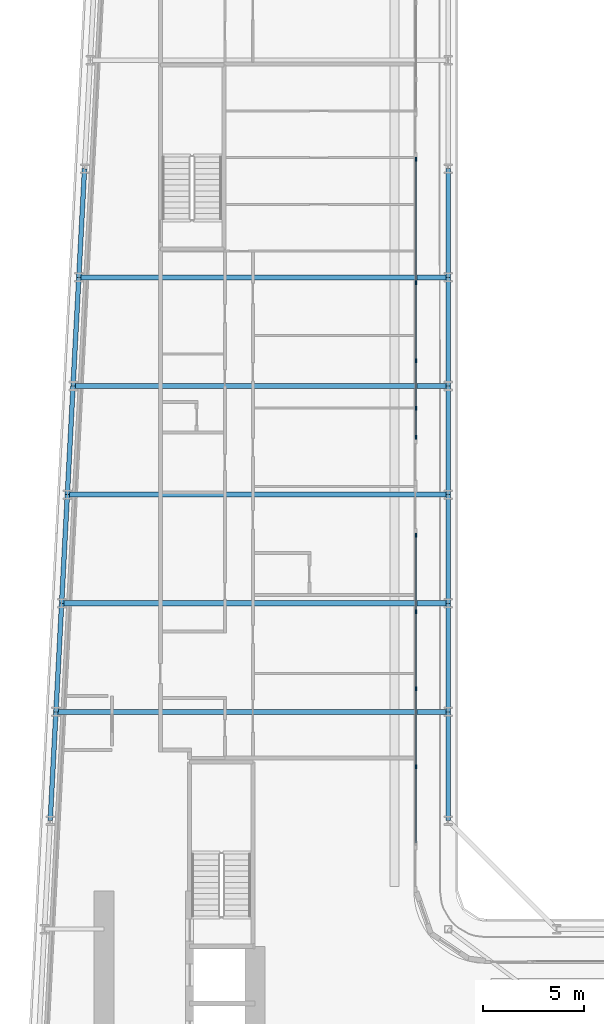
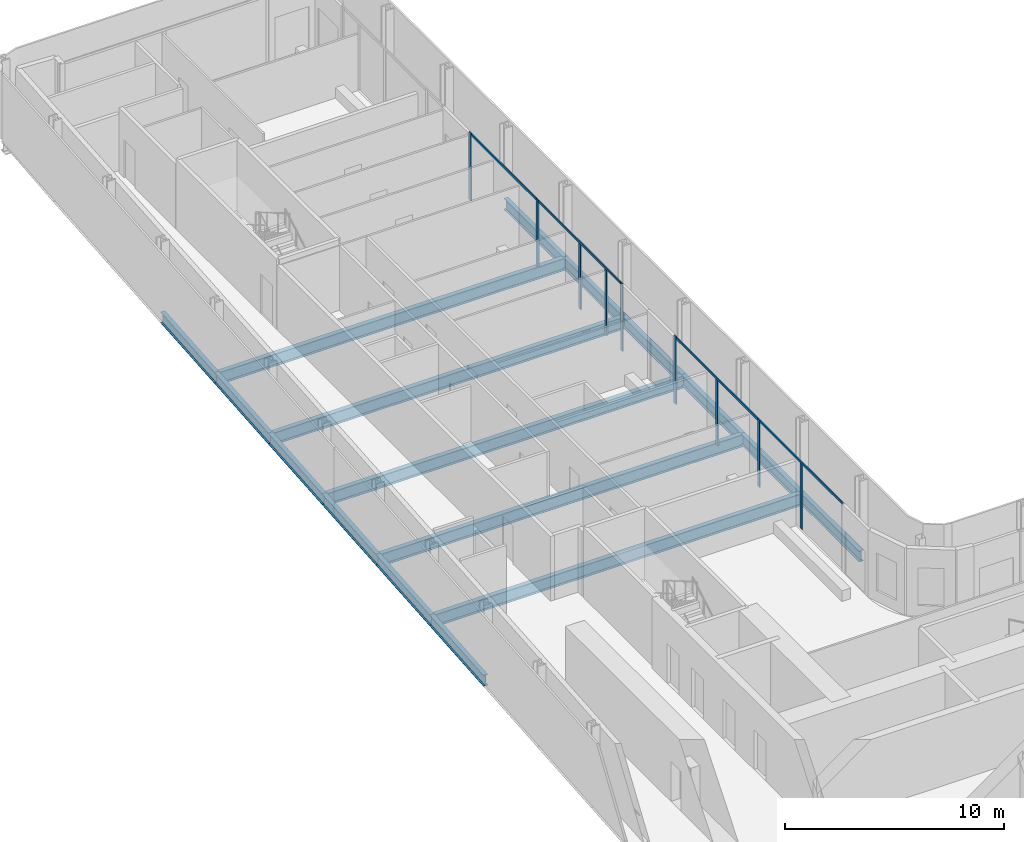
# One storey, part 7 of 29: 17 beams, 13 members, 4 elements without a shape of their own.
"""IFC4 building model written with IfcOpenShell, lengths in metres."""

from ifc_helpers import new_model, si_unit, direction, frame, origin, origin_2d, place, context, subcontext, project, spatial, rectangle, i_section, extrude, material, layer, layer_set, material_profile, profile_set, type_object, element, aggregate, save


model = new_model("IFC4")

# Units and contexts
model_context = context("Model", 3, precision=1e-05, world=origin(), true_north=direction((0.0, 1.0)))
body_context = subcontext(model_context, "Body", "Model", "MODEL_VIEW")
ifc_project = project(units=[si_unit("LENGTHUNIT", "METRE"), si_unit("AREAUNIT", "SQUARE_METRE"), si_unit("VOLUMEUNIT", "CUBIC_METRE"), si_unit("PLANEANGLEUNIT", "RADIAN"), si_unit("MASSUNIT", "GRAM", prefix="KILO")], contexts=[model_context])

# Site, building, storey
site_placement = place(None, origin())
site = spatial("IfcSite", under=ifc_project, at=site_placement, CompositionType="ELEMENT")
building_placement = place(site_placement, origin())
building = spatial("IfcBuilding", under=site, at=building_placement, Name="Kheshtan School and Residences Tower", CompositionType="ELEMENT")
storey_placement = place(building_placement, frame((0.0, 0.0, 65.60009765625)))
storey = spatial("IfcBuildingStorey", under=building, at=storey_placement, Name="L15", CompositionType="ELEMENT", Elevation=65.60009765625)

# Beams
ifc_material_1 = material(Name="Steel ASTM A992 Grade 50", Category="steel")
ifc_material_profile_1 = material_profile(ifc_material_1, i_section(OverallWidth=0.2529296875, OverallDepth=0.677978515625, WebThickness=0.01171875, FlangeThickness=0.016357421875, FilletRadius=0.0146484375, at=origin_2d()), Name="W690x125")
ifc_profile_set_1 = profile_set([ifc_material_profile_1], Name="Steel ASTM A992 Grade 50")
beam_type_1 = type_object("IfcBeamType", Name="Beam FB6 W690x125 ASTM A992 Grade 50", PredefinedType="BEAM", material=ifc_profile_set_1)
beam_1_placement = place(storey_placement, frame((47.60009765625, 72.60009765625, -0.489013671875), z_axis=(-1.0, 0.0, 0.0), x_axis=(0.0, -1.0, 0.0)))
element("IfcBeam", 1, at=beam_1_placement, inside=storey, type_object=beam_type_1, Name="Floor beam C087", PredefinedType="BEAM", context=body_context, shape_type="SweptSolid", body=[
    extrude(i_section(OverallWidth=0.2529296875, OverallDepth=0.677978515625, WebThickness=0.01171875, FlangeThickness=0.016357421875, FilletRadius=0.0146484375, at=origin_2d()), origin(), (0.0, 0.0, 1.0), 18.64208984375),
])
beam_2_placement = place(storey_placement, frame((47.60009765625, 61.800048828125, -0.489013671875), z_axis=(-1.0, 0.0, 0.0), x_axis=(0.0, -1.0, 0.0)))
element("IfcBeam", 2, at=beam_2_placement, inside=storey, type_object=beam_type_1, Name="Floor beam C083", PredefinedType="BEAM", context=body_context, shape_type="SweptSolid", body=[
    extrude(i_section(OverallWidth=0.2529296875, OverallDepth=0.677978515625, WebThickness=0.01171875, FlangeThickness=0.016357421875, FilletRadius=0.0146484375, at=origin_2d()), origin(), (0.0, 0.0, 1.0), 19.210205078125),
])
beam_3_placement = place(storey_placement, frame((28.10595703125, 56.39990234375, -0.489013671875), z_axis=(1.0, 0.0, 0.0), x_axis=(0.0, 1.0, 0.0)))
element("IfcBeam", 3, at=beam_3_placement, inside=storey, type_object=beam_type_1, Name="Floor beam C080", PredefinedType="BEAM", context=body_context, shape_type="SweptSolid", body=[
    extrude(i_section(OverallWidth=0.2529296875, OverallDepth=0.677978515625, WebThickness=0.01171875, FlangeThickness=0.016357421875, FilletRadius=0.0146484375, at=origin_2d()), origin(), (0.0, 0.0, 1.0), 19.494140625),
])
beam_4_placement = place(storey_placement, frame((28.674072265625, 67.199951171875, -0.489013671875), z_axis=(1.0, 0.0, 0.0), x_axis=(0.0, 1.0, 0.0)))
element("IfcBeam", 4, at=beam_4_placement, inside=storey, type_object=beam_type_1, Name="Floor beam C084", PredefinedType="BEAM", context=body_context, shape_type="SweptSolid", body=[
    extrude(i_section(OverallWidth=0.2529296875, OverallDepth=0.677978515625, WebThickness=0.01171875, FlangeThickness=0.016357421875, FilletRadius=0.0146484375, at=origin_2d()), origin(), (0.0, 0.0, 1.0), 18.926025390625),
])
beam_5_placement = place(storey_placement, frame((29.242919921875, 78.0, -0.489013671875), z_axis=(1.0, 0.0, 0.0), x_axis=(0.0, 1.0, 0.0)))
element("IfcBeam", 5, at=beam_5_placement, inside=storey, type_object=beam_type_1, Name="Floor beam C088", PredefinedType="BEAM", context=body_context, shape_type="SweptSolid", body=[
    extrude(i_section(OverallWidth=0.2529296875, OverallDepth=0.677978515625, WebThickness=0.01171875, FlangeThickness=0.016357421875, FilletRadius=0.0146484375, at=origin_2d()), origin(), (0.0, 0.0, 1.0), 18.357177734375),
])
ifc_material_profile_2 = material_profile(ifc_material_1, i_section(OverallWidth=0.22998046875, OverallDepth=0.616943359375, WebThickness=0.01318359375, FlangeThickness=0.022216796875, FilletRadius=0.0185546875, at=origin_2d()), Name="W610x140")
ifc_profile_set_2 = profile_set([ifc_material_profile_2], Name="Steel ASTM A992 Grade 50")
beam_type_2 = type_object("IfcBeamType", Name="Beam SP1 W610x140 ASTM A992 Grade 50", PredefinedType="BEAM", material=ifc_profile_set_2)
for number, where, z_axis, x_axis, name in (
    (6, (47.60009765625, 83.39990234375, -0.45849609375), (0.0, -1.0, 0.0), (1.0, 0.0, 0.0), "Spandrel beam C091-C089"),
    (7, (47.60009765625, 78.0, -0.45849609375), (0.0, -1.0, 0.0), (1.0, 0.0, 0.0), "Spandrel beam C089-C087"),
):
    element("IfcBeam", number, at=place(storey_placement, frame(where, z_axis=z_axis, x_axis=x_axis)), inside=storey, type_object=beam_type_2, Name=name, PredefinedType="BEAM", context=body_context, shape_type="SweptSolid", body=[
        extrude(i_section(OverallWidth=0.22998046875, OverallDepth=0.616943359375, WebThickness=0.01318359375, FlangeThickness=0.022216796875, FilletRadius=0.0185546875, at=origin_2d()), origin(), (0.0, 0.0, 1.0), 5.39990234375),
    ])
beam_6_placement = place(storey_placement, frame((47.60009765625, 72.60009765625, -0.45849609375), z_axis=(0.0, -1.0, 0.0), x_axis=(1.0, 0.0, 0.0)))
element("IfcBeam", 8, at=beam_6_placement, inside=storey, type_object=beam_type_2, Name="Spandrel beam C087-C085", PredefinedType="BEAM", context=body_context, shape_type="SweptSolid", body=[
    extrude(i_section(OverallWidth=0.22998046875, OverallDepth=0.616943359375, WebThickness=0.01318359375, FlangeThickness=0.022216796875, FilletRadius=0.0185546875, at=origin_2d()), origin(), (0.0, 0.0, 1.0), 5.400146484375),
])
beam_7_placement = place(storey_placement, frame((47.60009765625, 67.199951171875, -0.45849609375), z_axis=(0.0, -1.0, 0.0), x_axis=(1.0, 0.0, 0.0)))
element("IfcBeam", 9, at=beam_7_placement, inside=storey, type_object=beam_type_2, Name="Spandrel beam C085-C083", PredefinedType="BEAM", context=body_context, shape_type="SweptSolid", body=[
    extrude(i_section(OverallWidth=0.22998046875, OverallDepth=0.616943359375, WebThickness=0.01318359375, FlangeThickness=0.022216796875, FilletRadius=0.0185546875, at=origin_2d()), origin(), (0.0, 0.0, 1.0), 5.39990234375),
])
beam_8_placement = place(storey_placement, frame((47.60009765625, 61.800048828125, -0.45849609375), z_axis=(0.0, -1.0, 0.0), x_axis=(1.0, 0.0, 0.0)))
element("IfcBeam", 10, at=beam_8_placement, inside=storey, type_object=beam_type_2, Name="Spandrel beam C083-C081", PredefinedType="BEAM", context=body_context, shape_type="SweptSolid", body=[
    extrude(i_section(OverallWidth=0.22998046875, OverallDepth=0.616943359375, WebThickness=0.01318359375, FlangeThickness=0.022216796875, FilletRadius=0.0185546875, at=origin_2d()), origin(), (0.0, 0.0, 1.0), 5.400146484375),
])
beam_9_placement = place(storey_placement, frame((47.60009765625, 56.39990234375, -0.45849609375), z_axis=(0.0, -1.0, 0.0), x_axis=(1.0, 0.0, 0.0)))
element("IfcBeam", 11, at=beam_9_placement, inside=storey, type_object=beam_type_2, Name="Spandrel beam C081-C079", PredefinedType="BEAM", context=body_context, shape_type="SweptSolid", body=[
    extrude(i_section(OverallWidth=0.22998046875, OverallDepth=0.616943359375, WebThickness=0.01318359375, FlangeThickness=0.022216796875, FilletRadius=0.0185546875, at=origin_2d()), origin(), (0.0, 0.0, 1.0), 5.39990234375),
])
beam_10_placement = place(storey_placement, frame((27.822021484375, 51.0, -0.45849609375), z_axis=(0.05250906864, 0.998620447272, 0.0), x_axis=(-0.998620447272, 0.05250906864, 0.0)))
element("IfcBeam", 12, at=beam_10_placement, inside=storey, type_object=beam_type_2, Name="Spandrel beam C078-C080", PredefinedType="BEAM", context=body_context, shape_type="SweptSolid", body=[
    extrude(i_section(OverallWidth=0.22998046875, OverallDepth=0.616943359375, WebThickness=0.01318359375, FlangeThickness=0.022216796875, FilletRadius=0.0185546875, at=origin_2d()), origin(), (0.0, 0.0, 1.0), 5.407470703125),
])
beam_11_placement = place(storey_placement, frame((28.10595703125, 56.39990234375, -0.45849609375), z_axis=(0.05250670125, 0.998620571751, 0.0), x_axis=(-0.998620571751, 0.05250670125, 0.0)))
element("IfcBeam", 13, at=beam_11_placement, inside=storey, type_object=beam_type_2, Name="Spandrel beam C080-C082", PredefinedType="BEAM", context=body_context, shape_type="SweptSolid", body=[
    extrude(i_section(OverallWidth=0.22998046875, OverallDepth=0.616943359375, WebThickness=0.01318359375, FlangeThickness=0.022216796875, FilletRadius=0.0185546875, at=origin_2d()), origin(), (0.0, 0.0, 1.0), 5.40771484375),
])
beam_12_placement = place(storey_placement, frame((28.389892578125, 61.800048828125, -0.45849609375), z_axis=(0.052554093665, 0.998618078766, 0.0), x_axis=(-0.998618078766, 0.052554093665, 0.0)))
element("IfcBeam", 14, at=beam_12_placement, inside=storey, type_object=beam_type_2, Name="Spandrel beam C082-C084", PredefinedType="BEAM", context=body_context, shape_type="SweptSolid", body=[
    extrude(i_section(OverallWidth=0.22998046875, OverallDepth=0.616943359375, WebThickness=0.01318359375, FlangeThickness=0.022216796875, FilletRadius=0.0185546875, at=origin_2d()), origin(), (0.0, 0.0, 1.0), 5.407470703125),
])
beam_13_placement = place(storey_placement, frame((28.674072265625, 67.199951171875, -0.45849609375), z_axis=(0.05250670125, 0.998620571751, 0.0), x_axis=(-0.998620571751, 0.05250670125, 0.0)))
element("IfcBeam", 15, at=beam_13_placement, inside=storey, type_object=beam_type_2, Name="Spandrel beam C084-C086", PredefinedType="BEAM", context=body_context, shape_type="SweptSolid", body=[
    extrude(i_section(OverallWidth=0.22998046875, OverallDepth=0.616943359375, WebThickness=0.01318359375, FlangeThickness=0.022216796875, FilletRadius=0.0185546875, at=origin_2d()), origin(), (0.0, 0.0, 1.0), 5.40771484375),
])
for number, where, z_axis, x_axis, name in (
    (16, (28.9580078125, 72.60009765625, -0.45849609375), (0.052689166816, 0.998610961136, 0.0), (-0.998610961136, 0.052689166816, 0.0), "Spandrel beam C086-C088"),
    (17, (29.242919921875, 78.0, -0.45849609375), (0.052554093665, 0.998618078766, 0.0), (-0.998618078766, 0.052554093665, 0.0), "Spandrel beam C088-C090"),
):
    element("IfcBeam", number, at=place(storey_placement, frame(where, z_axis=z_axis, x_axis=x_axis)), inside=storey, type_object=beam_type_2, Name=name, PredefinedType="BEAM", context=body_context, shape_type="SweptSolid", body=[
        extrude(i_section(OverallWidth=0.22998046875, OverallDepth=0.616943359375, WebThickness=0.01318359375, FlangeThickness=0.022216796875, FilletRadius=0.0185546875, at=origin_2d()), origin(), (0.0, 0.0, 1.0), 5.407470703125),
    ])

# Curtain wall, members
ifc_material_2 = material(Name="Clear low-e glass in thermally broken aluminium frame", Category="aluminium")
ifc_layer = layer(ifc_material_2, 0.199951171875)
ifc_layer_set = layer_set([ifc_layer], Name="Curtain wall CW-L")
curtain_wall_type = type_object("IfcCurtainWallType", Name="Curtain wall CW-L", PredefinedType="NOTDEFINED", material=ifc_layer_set)
curtain_wall_1_placement = place(storey_placement, origin())
curtain_wall_1 = element("IfcCurtainWall", 18, at=curtain_wall_1_placement, inside=storey, type_object=curtain_wall_type, Name="Curtain wall CWL8d", PredefinedType="NOTDEFINED")
ifc_material_3 = material(Name="Thermally broken aluminium, dark bronze anodised", Category="aluminium")
ifc_material_profile_3 = material_profile(ifc_material_3, rectangle(XDim=0.06005859375, YDim=0.199951171875, at=origin_2d()), Name="CW-L mullion 60x200")
ifc_profile_set_3 = profile_set([ifc_material_profile_3], Name="Thermally broken aluminium, dark bronze anodised")
member_type_1 = type_object("IfcMemberType", Name="CW-L mullion 60x200", PredefinedType="MULLION", material=ifc_profile_set_3)
member_1_placement = place(storey_placement, frame((46.0, 83.8759765625, 0.0), z_axis=(0.0, 0.0, 1.0), x_axis=(1.0, 0.0, 0.0)))
member_1 = element("IfcMember", 19, at=member_1_placement, type_object=member_type_1, Name="CWL8d mullion 1", PredefinedType="MULLION", context=body_context, shape_type="SweptSolid", body=[
    extrude(rectangle(XDim=0.06005859375, YDim=0.199951171875, at=origin_2d()), origin(), (0.0, 0.0, 1.0), 3.75),
])
member_2_placement = place(storey_placement, frame((46.0, 77.741943359375, 0.0), z_axis=(0.0, 0.0, 1.0), x_axis=(1.0, 0.0, 0.0)))
member_2 = element("IfcMember", 20, at=member_2_placement, type_object=member_type_1, Name="CWL8d mullion 2", PredefinedType="MULLION", context=body_context, shape_type="SweptSolid", body=[
    extrude(rectangle(XDim=0.06005859375, YDim=0.199951171875, at=origin_2d()), origin(), (0.0, 0.0, 1.0), 3.75),
])

curtain_wall_2_placement = place(storey_placement, origin())
curtain_wall_2 = element("IfcCurtainWall", 21, at=curtain_wall_2_placement, inside=storey, type_object=curtain_wall_type, Name="Curtain wall CWL8c", PredefinedType="NOTDEFINED")
member_3_placement = place(storey_placement, frame((46.0, 73.864990234375, 0.0), z_axis=(0.0, 0.0, 1.0), x_axis=(1.0, 0.0, 0.0)))
member_3 = element("IfcMember", 22, at=member_3_placement, type_object=member_type_1, Name="CWL8c mullion 2", PredefinedType="MULLION", context=body_context, shape_type="SweptSolid", body=[
    extrude(rectangle(XDim=0.06005859375, YDim=0.199951171875, at=origin_2d()), origin(), (0.0, 0.0, 1.0), 3.6298828125),
])
member_4_placement = place(storey_placement, frame((46.0, 71.5, 0.0), z_axis=(0.0, 0.0, 1.0), x_axis=(1.0, 0.0, 0.0)))
member_4 = element("IfcMember", 23, at=member_4_placement, type_object=member_type_1, Name="CWL8c mullion 3", PredefinedType="MULLION", context=body_context, shape_type="SweptSolid", body=[
    extrude(rectangle(XDim=0.06005859375, YDim=0.199951171875, at=origin_2d()), origin(), (0.0, 0.0, 1.0), 3.6298828125),
])
member_5_placement = place(storey_placement, frame((46.0, 70.048095703125, 0.0), z_axis=(0.0, 0.0, 1.0), x_axis=(1.0, 0.0, 0.0)))
member_5 = element("IfcMember", 24, at=member_5_placement, type_object=member_type_1, Name="CWL8c mullion 4", PredefinedType="MULLION", context=body_context, shape_type="SweptSolid", body=[
    extrude(rectangle(XDim=0.06005859375, YDim=0.199951171875, at=origin_2d()), origin(), (0.0, 0.0, 1.0), 3.75),
])

curtain_wall_3_placement = place(storey_placement, origin())
curtain_wall_3 = element("IfcCurtainWall", 25, at=curtain_wall_3_placement, inside=storey, type_object=curtain_wall_type, Name="Curtain wall CWL8", PredefinedType="NOTDEFINED")
member_6_placement = place(storey_placement, frame((46.0, 65.18798828125, 0.0), z_axis=(0.0, 0.0, 1.0), x_axis=(1.0, 0.0, 0.0)))
member_6 = element("IfcMember", 26, at=member_6_placement, type_object=member_type_1, Name="CWL8 mullion 1", PredefinedType="MULLION", context=body_context, shape_type="SweptSolid", body=[
    extrude(rectangle(XDim=0.06005859375, YDim=0.199951171875, at=origin_2d()), origin(), (0.0, 0.0, 1.0), 3.75),
])
member_7_placement = place(storey_placement, frame((46.0, 61.37109375, 0.0), z_axis=(0.0, 0.0, 1.0), x_axis=(1.0, 0.0, 0.0)))
member_7 = element("IfcMember", 27, at=member_7_placement, type_object=member_type_1, Name="CWL8 mullion 2", PredefinedType="MULLION", context=body_context, shape_type="SweptSolid", body=[
    extrude(rectangle(XDim=0.06005859375, YDim=0.199951171875, at=origin_2d()), origin(), (0.0, 0.0, 1.0), 3.6298828125),
])
member_8_placement = place(storey_placement, frame((46.0, 57.553955078125, 0.0), z_axis=(0.0, 0.0, 1.0), x_axis=(1.0, 0.0, 0.0)))
member_8 = element("IfcMember", 28, at=member_8_placement, type_object=member_type_1, Name="CWL8 mullion 3", PredefinedType="MULLION", context=body_context, shape_type="SweptSolid", body=[
    extrude(rectangle(XDim=0.06005859375, YDim=0.199951171875, at=origin_2d()), origin(), (0.0, 0.0, 1.0), 3.75),
])

# Curtain wall, member
curtain_wall_4_placement = place(storey_placement, origin())
curtain_wall_4 = element("IfcCurtainWall", 29, at=curtain_wall_4_placement, inside=storey, type_object=curtain_wall_type, Name="Curtain wall CWL8", PredefinedType="NOTDEFINED")
member_9_placement = place(storey_placement, frame((46.0, 53.677001953125, 0.0), z_axis=(0.0, 0.0, 1.0), x_axis=(1.0, 0.0, 0.0)))
member_9 = element("IfcMember", 30, at=member_9_placement, type_object=member_type_1, Name="CWL8 mullion 2", PredefinedType="MULLION", context=body_context, shape_type="SweptSolid", body=[
    extrude(rectangle(XDim=0.06005859375, YDim=0.199951171875, at=origin_2d()), origin(), (0.0, 0.0, 1.0), 3.6298828125),
])

# Member
ifc_material_profile_4 = material_profile(ifc_material_3, rectangle(XDim=0.06005859375, YDim=0.1201171875, at=origin_2d()), Name="CW-L transom 60x120")
ifc_profile_set_4 = profile_set([ifc_material_profile_4], Name="Thermally broken aluminium, dark bronze anodised")
member_type_2 = type_object("IfcMemberType", Name="CW-L transom 60x120", PredefinedType="USERDEFINED", material=ifc_profile_set_4)
member_10_placement = place(storey_placement, frame((46.0, 83.845947265625, 3.68994140625), z_axis=(0.0, -1.0, 0.0), x_axis=(1.0, 0.0, 0.0)))
member_10 = element("IfcMember", 31, at=member_10_placement, type_object=member_type_2, Name="CWL8d transom 1", ObjectType="TRANSOM", PredefinedType="USERDEFINED", context=body_context, shape_type="SweptSolid", body=[
    extrude(rectangle(XDim=0.06005859375, YDim=0.1201171875, at=origin_2d()), origin(), (0.0, 0.0, 1.0), 6.073974609375),
])

aggregate(curtain_wall_1, [member_1, member_2, member_10])

member_11_placement = place(storey_placement, frame((46.0, 77.7119140625, 3.68994140625), z_axis=(0.0, -1.0, 0.0), x_axis=(1.0, 0.0, 0.0)))
member_11 = element("IfcMember", 32, at=member_11_placement, type_object=member_type_2, Name="CWL8c transom 1", ObjectType="TRANSOM", PredefinedType="USERDEFINED", context=body_context, shape_type="SweptSolid", body=[
    extrude(rectangle(XDim=0.06005859375, YDim=0.1201171875, at=origin_2d()), origin(), (0.0, 0.0, 1.0), 7.634033203125),
])

aggregate(curtain_wall_2, [member_3, member_4, member_5, member_11])

member_12_placement = place(storey_placement, frame((46.0, 65.157958984375, 3.68994140625), z_axis=(0.0, -1.0, 0.0), x_axis=(1.0, 0.0, 0.0)))
member_12 = element("IfcMember", 33, at=member_12_placement, type_object=member_type_2, Name="CWL8 transom 1", ObjectType="TRANSOM", PredefinedType="USERDEFINED", context=body_context, shape_type="SweptSolid", body=[
    extrude(rectangle(XDim=0.06005859375, YDim=0.1201171875, at=origin_2d()), origin(), (0.0, 0.0, 1.0), 7.573974609375),
])

aggregate(curtain_wall_3, [member_6, member_7, member_8, member_12])

member_13_placement = place(storey_placement, frame((46.0, 57.52392578125, 3.68994140625), z_axis=(0.0, -1.0, 0.0), x_axis=(1.0, 0.0, 0.0)))
member_13 = element("IfcMember", 34, at=member_13_placement, type_object=member_type_2, Name="CWL8 transom 1", ObjectType="TRANSOM", PredefinedType="USERDEFINED", context=body_context, shape_type="SweptSolid", body=[
    extrude(rectangle(XDim=0.06005859375, YDim=0.1201171875, at=origin_2d()), origin(), (0.0, 0.0, 1.0), 7.634033203125),
])

aggregate(curtain_wall_4, [member_9, member_13])

save(model, "model.ifc")
